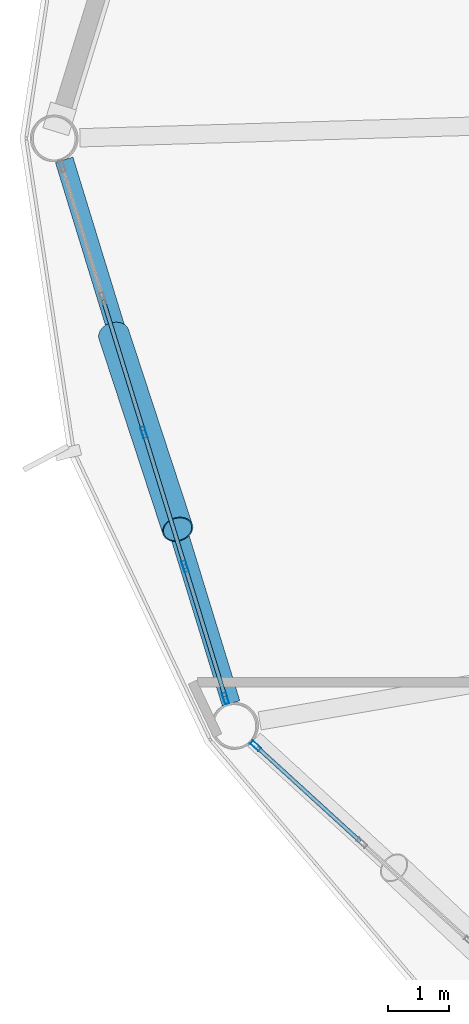
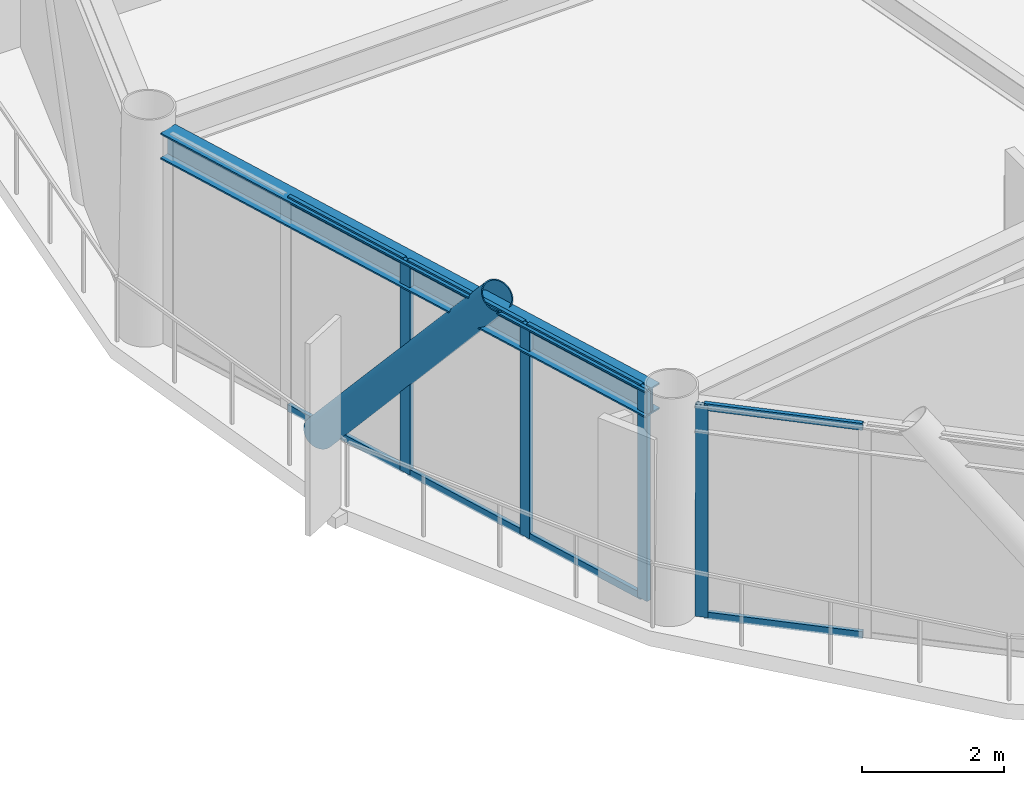
# One storey, part 4 of 25: 13 members, 1 beam, 2 elements without a shape of their own.
"""IFC4 building model written with IfcOpenShell, lengths in metres."""

from ifc_helpers import new_model, si_unit, direction, frame, origin, origin_2d, place, context, subcontext, project, spatial, hollow_rectangle, hollow_circle, i_section, extrude, material, layer, layer_set, material_profile, profile_set, type_object, element, aggregate, save


model = new_model("IFC4")

# Units and contexts
model_context = context("Model", 3, precision=1e-05, world=origin(), true_north=direction((0.0, 1.0)))
body_context = subcontext(model_context, "Body", "Model", "MODEL_VIEW")
ifc_project = project(units=[si_unit("LENGTHUNIT", "METRE"), si_unit("AREAUNIT", "SQUARE_METRE"), si_unit("VOLUMEUNIT", "CUBIC_METRE"), si_unit("PLANEANGLEUNIT", "RADIAN"), si_unit("MASSUNIT", "GRAM", prefix="KILO")], contexts=[model_context])

# Site, building, storey
site_placement = place(None, origin())
site = spatial("IfcSite", under=ifc_project, at=site_placement, CompositionType="ELEMENT")
building_placement = place(site_placement, origin())
building = spatial("IfcBuilding", under=site, at=building_placement, Name="Varnakorn Sky Granary", CompositionType="ELEMENT")
storey_placement = place(building_placement, frame((0.0, 0.0, 126.60009765625)))
storey = spatial("IfcBuildingStorey", under=building, at=storey_placement, Name="L31", CompositionType="ELEMENT", Elevation=126.60009765625)

# Beam
ifc_material_1 = material(Name="Steel S355JR", Category="steel")
ifc_material_profile_1 = material_profile(ifc_material_1, i_section(OverallWidth=0.300048828125, OverallDepth=0.449951171875, WebThickness=0.013916015625, FlangeThickness=0.02587890625, at=origin_2d()), Name="HE 450 B")
ifc_profile_set_1 = profile_set([ifc_material_profile_1], Name="Steel S355JR")
beam_type = type_object("IfcBeamType", Name="BM-SPD-Z3", PredefinedType="SPANDREL", material=ifc_profile_set_1)
beam_placement = place(storey_placement, frame((-22.509521484375, -0.349853515625, 3.414794921875), z_axis=(0.293501370749, -0.955958652541, 0.0), x_axis=(0.955958652541, 0.293501370749, 0.0)))
element("IfcBeam", 1, at=beam_placement, inside=storey, type_object=beam_type, Name="Perimeter Spandrel Ring Beam RB07 L31", PredefinedType="SPANDREL", context=body_context, shape_type="SweptSolid", body=[
    extrude(i_section(OverallWidth=0.300048828125, OverallDepth=0.449951171875, WebThickness=0.013916015625, FlangeThickness=0.02587890625, at=origin_2d()), origin(), (0.0, 0.0, 1.0), 9.3056640625),
])

# Curtain wall, members
ifc_material_2 = material(Name="Anodised Bronze Aluminium Alloy 6063-T6", Category="aluminium")
ifc_layer = layer(ifc_material_2, 0.179931640625, Name="Anodised Bronze Aluminium Alloy 6063-T6")
ifc_layer_set = layer_set([ifc_layer], Name="Anodised Bronze Aluminium Alloy 6063-T6")
curtain_wall_type = type_object("IfcCurtainWallType", Name="CW-FRM-2", PredefinedType="USERDEFINED", material=ifc_layer_set)
curtain_wall_1_placement = place(storey_placement, origin())
curtain_wall_1 = element("IfcCurtainWall", 2, at=curtain_wall_1_placement, inside=storey, type_object=curtain_wall_type, Name="Unitised Curtain Wall CW4 CW-L31-B07", ObjectType="CURTAIN WALL", PredefinedType="USERDEFINED")
ifc_material_profile_2 = material_profile(ifc_material_2, hollow_rectangle(XDim=0.070068359375, YDim=0.18505859375, WallThickness=0.00390625, at=origin_2d()), Name="ALU MULL 70x185")
ifc_profile_set_2 = profile_set([ifc_material_profile_2], Name="Anodised Bronze Aluminium Alloy 6063-T6")
member_type_1 = type_object("IfcMemberType", Name="CW-FRM-2-MULL", PredefinedType="MULLION", material=ifc_profile_set_2)
member_1_placement = place(storey_placement, frame((-19.867919921875, -9.16455078125, 0.0), z_axis=(0.0, 0.0, 1.0), x_axis=(-0.955916673226, -0.293638066074, 0.0)))
member_1 = element("IfcMember", 3, at=member_1_placement, type_object=member_type_1, Name="CW4 mullion 1", PredefinedType="MULLION", context=body_context, shape_type="SweptSolid", body=[
    extrude(hollow_rectangle(XDim=0.070068359375, YDim=0.18505859375, WallThickness=0.00390625, at=origin_2d()), origin(), (0.0, 0.0, 1.0), 3.639892578125),
])
member_2_placement = place(storey_placement, frame((-20.531494140625, -7.00390625, 0.0), z_axis=(0.0, 0.0, 1.0), x_axis=(-0.955916673226, -0.293638066074, 0.0)))
member_2 = element("IfcMember", 4, at=member_2_placement, type_object=member_type_1, Name="CW4 mullion 2", PredefinedType="MULLION", context=body_context, shape_type="SweptSolid", body=[
    extrude(hollow_rectangle(XDim=0.070068359375, YDim=0.18505859375, WallThickness=0.00390625, at=origin_2d()), origin(), (0.0, 0.0, 1.0), 3.639892578125),
])
member_3_placement = place(storey_placement, frame((-21.20556640625, -4.809814453125, 0.0), z_axis=(0.0, 0.0, 1.0), x_axis=(-0.955916673226, -0.293638066074, 0.0)))
member_3 = element("IfcMember", 5, at=member_3_placement, type_object=member_type_1, Name="CW4 mullion 3", PredefinedType="MULLION", context=body_context, shape_type="SweptSolid", body=[
    extrude(hollow_rectangle(XDim=0.070068359375, YDim=0.18505859375, WallThickness=0.00390625, at=origin_2d()), origin(), (0.0, 0.0, 1.0), 3.639892578125),
])

# Curtain wall, member
curtain_wall_2_placement = place(storey_placement, origin())
curtain_wall_2 = element("IfcCurtainWall", 6, at=curtain_wall_2_placement, inside=storey, type_object=curtain_wall_type, Name="Unitised Curtain Wall CW4 CW-L31-B08", ObjectType="CURTAIN WALL", PredefinedType="USERDEFINED")
member_4_placement = place(storey_placement, frame((-19.376708984375, -9.940673828125, 0.0), z_axis=(0.0, 0.0, 1.0), x_axis=(-0.674680923597, -0.738109511749, 0.0)))
member_4 = element("IfcMember", 7, at=member_4_placement, type_object=member_type_1, Name="CW4 mullion 5", PredefinedType="MULLION", context=body_context, shape_type="SweptSolid", body=[
    extrude(hollow_rectangle(XDim=0.070068359375, YDim=0.18505859375, WallThickness=0.00390625, at=origin_2d()), origin(), (0.0, 0.0, 1.0), 3.639892578125),
])

# Member
ifc_material_profile_3 = material_profile(ifc_material_2, hollow_rectangle(XDim=0.06494140625, YDim=0.1201171875, WallThickness=0.00341796875, at=origin_2d()), Name="ALU TRAN 65x120")
ifc_profile_set_3 = profile_set([ifc_material_profile_3], Name="Anodised Bronze Aluminium Alloy 6063-T6")
member_type_2 = type_object("IfcMemberType", Name="CW-FRM-2-TRAN", PredefinedType="USERDEFINED", material=ifc_profile_set_3)
member_5_placement = place(storey_placement, frame((-19.878173828125, -9.131103515625, 0.032470703125), z_axis=(-0.293600182714, 0.955928309399, 0.0), x_axis=(-0.955928309399, -0.293600182714, 0.0)))
member_5 = element("IfcMember", 8, at=member_5_placement, type_object=member_type_2, Name="CW4 transom 1.1", ObjectType="TRANSOM", PredefinedType="USERDEFINED", context=body_context, shape_type="SweptSolid", body=[
    extrude(hollow_rectangle(XDim=0.06494140625, YDim=0.1201171875, WallThickness=0.00341796875, at=origin_2d()), origin(), (0.0, 0.0, 1.0), 2.190185546875),
])

member_6_placement = place(storey_placement, frame((-19.878173828125, -9.131103515625, 3.607421875), z_axis=(-0.293600182714, 0.955928309399, 0.0), x_axis=(-0.955928309399, -0.293600182714, 0.0)))
member_6 = element("IfcMember", 9, at=member_6_placement, type_object=member_type_2, Name="CW4 transom 1.2", ObjectType="TRANSOM", PredefinedType="USERDEFINED", context=body_context, shape_type="SweptSolid", body=[
    extrude(hollow_rectangle(XDim=0.06494140625, YDim=0.1201171875, WallThickness=0.00341796875, at=origin_2d()), origin(), (0.0, 0.0, 1.0), 2.190185546875),
])

member_7_placement = place(storey_placement, frame((-20.541748046875, -6.970458984375, 0.032470703125), z_axis=(-0.293692648403, 0.955899904945, 0.0), x_axis=(-0.955899904945, -0.293692648403, 0.0)))
member_7 = element("IfcMember", 10, at=member_7_placement, type_object=member_type_2, Name="CW4 transom 2.1", ObjectType="TRANSOM", PredefinedType="USERDEFINED", context=body_context, shape_type="SweptSolid", body=[
    extrude(hollow_rectangle(XDim=0.06494140625, YDim=0.1201171875, WallThickness=0.00341796875, at=origin_2d()), origin(), (0.0, 0.0, 1.0), 2.225341796875),
])

member_8_placement = place(storey_placement, frame((-20.541748046875, -6.970458984375, 3.607421875), z_axis=(-0.293692648403, 0.955899904945, 0.0), x_axis=(-0.955899904945, -0.293692648403, 0.0)))
member_8 = element("IfcMember", 11, at=member_8_placement, type_object=member_type_2, Name="CW4 transom 2.2", ObjectType="TRANSOM", PredefinedType="USERDEFINED", context=body_context, shape_type="SweptSolid", body=[
    extrude(hollow_rectangle(XDim=0.06494140625, YDim=0.1201171875, WallThickness=0.00341796875, at=origin_2d()), origin(), (0.0, 0.0, 1.0), 2.225341796875),
])

member_9_placement = place(storey_placement, frame((-21.2158203125, -4.7763671875, 0.032470703125), z_axis=(-0.293592396984, 0.955930700644, 0.0), x_axis=(-0.955930700644, -0.293592396984, 0.0)))
member_9 = element("IfcMember", 12, at=member_9_placement, type_object=member_type_2, Name="CW4 transom 3.1", ObjectType="TRANSOM", PredefinedType="USERDEFINED", context=body_context, shape_type="SweptSolid", body=[
    extrude(hollow_rectangle(XDim=0.06494140625, YDim=0.1201171875, WallThickness=0.00341796875, at=origin_2d()), origin(), (0.0, 0.0, 1.0), 2.225341796875),
])

member_10_placement = place(storey_placement, frame((-21.2158203125, -4.7763671875, 3.607421875), z_axis=(-0.293592396984, 0.955930700644, 0.0), x_axis=(-0.955930700644, -0.293592396984, 0.0)))
member_10 = element("IfcMember", 13, at=member_10_placement, type_object=member_type_2, Name="CW4 transom 3.2", ObjectType="TRANSOM", PredefinedType="USERDEFINED", context=body_context, shape_type="SweptSolid", body=[
    extrude(hollow_rectangle(XDim=0.06494140625, YDim=0.1201171875, WallThickness=0.00341796875, at=origin_2d()), origin(), (0.0, 0.0, 1.0), 2.225341796875),
])

aggregate(curtain_wall_1, [member_1, member_2, member_3, member_5, member_6, member_7, member_8, member_9, member_10])

member_11_placement = place(storey_placement, frame((-17.6650390625, -11.505126953125, 0.032470703125), z_axis=(-0.738089645744, 0.674702656616, 0.0), x_axis=(-0.674702656616, -0.738089645744, 0.0)))
member_11 = element("IfcMember", 14, at=member_11_placement, type_object=member_type_2, Name="CW4 transom 4.1", ObjectType="TRANSOM", PredefinedType="USERDEFINED", context=body_context, shape_type="SweptSolid", body=[
    extrude(hollow_rectangle(XDim=0.06494140625, YDim=0.1201171875, WallThickness=0.00341796875, at=origin_2d()), origin(), (0.0, 0.0, 1.0), 2.283935546875),
])

member_12_placement = place(storey_placement, frame((-17.6650390625, -11.505126953125, 3.607421875), z_axis=(-0.738089645744, 0.674702656616, 0.0), x_axis=(-0.674702656616, -0.738089645744, 0.0)))
member_12 = element("IfcMember", 15, at=member_12_placement, type_object=member_type_2, Name="CW4 transom 4.2", ObjectType="TRANSOM", PredefinedType="USERDEFINED", context=body_context, shape_type="SweptSolid", body=[
    extrude(hollow_rectangle(XDim=0.06494140625, YDim=0.1201171875, WallThickness=0.00341796875, at=origin_2d()), origin(), (0.0, 0.0, 1.0), 2.283935546875),
])

aggregate(curtain_wall_2, [member_4, member_11, member_12])

ifc_material_3 = material(Name="Steel S460M", Category="steel")
ifc_material_profile_4 = material_profile(ifc_material_3, hollow_circle(Radius=0.25390625, WallThickness=0.01806640625, at=origin_2d()), Name="CHS 508x18")
ifc_profile_set_4 = profile_set([ifc_material_profile_4], Name="Steel S460M")
member_type_3 = type_object("IfcMemberType", Name="MB-DIAG-T2", PredefinedType="BRACE", material=ifc_profile_set_4)
member_13_placement = place(storey_placement, frame((-21.697998046875, -3.20654296875, -0.130126953125), z_axis=(0.202508200992, -0.618167991256, 0.759512187603), x_axis=(0.950306802249, 0.31131492351, 0.0)))
element("IfcMember", 16, at=member_13_placement, inside=storey, type_object=member_type_3, Name="Perimeter CHS Diagrid Brace DG07 L31", PredefinedType="BRACE", context=body_context, shape_type="SweptSolid", body=[
    extrude(hollow_circle(Radius=0.25390625, WallThickness=0.01806640625, at=origin_2d()), origin(), (0.0, 0.0, 1.0), 5.1611328125),
])

save(model, "model.ifc")
